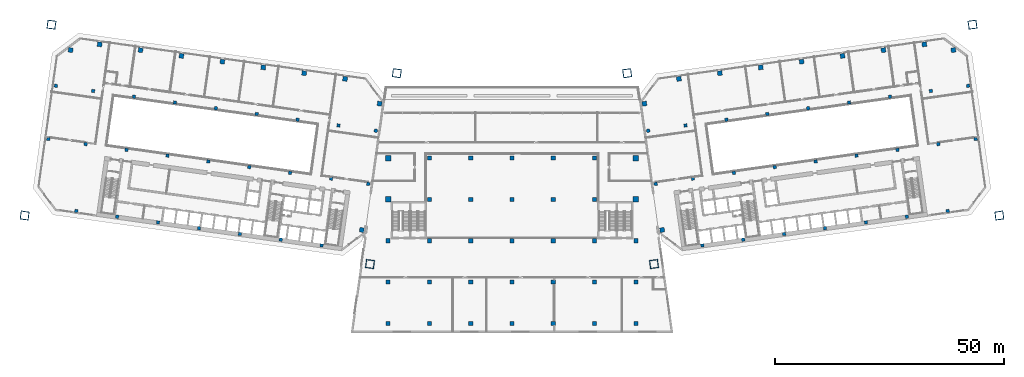
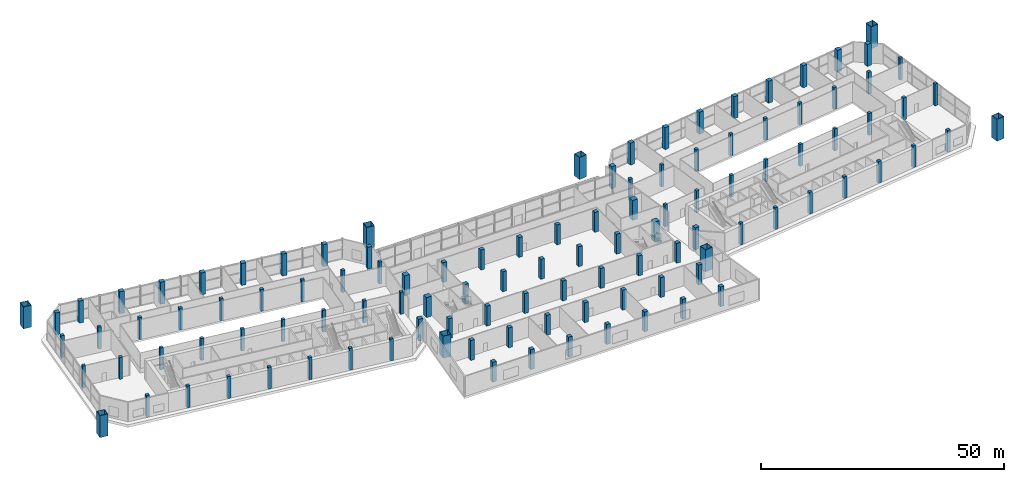
# One storey, part 1 of 23: 113 columns.
"""IFC4 building model written with IfcOpenShell, lengths in metres."""

from ifc_helpers import new_model, si_unit, direction, frame, origin, origin_2d, place, context, subcontext, project, spatial, rectangle, hollow_rectangle, extrude, material, material_profile, profile_set, type_object, element, save


model = new_model("IFC4")

# Units and contexts
model_context = context("Model", 3, precision=1e-05, world=origin(), true_north=direction((0.0, 1.0)))
body_context = subcontext(model_context, "Body", "Model", "MODEL_VIEW")
ifc_project = project(units=[si_unit("LENGTHUNIT", "METRE"), si_unit("AREAUNIT", "SQUARE_METRE"), si_unit("VOLUMEUNIT", "CUBIC_METRE"), si_unit("PLANEANGLEUNIT", "RADIAN"), si_unit("MASSUNIT", "GRAM", prefix="KILO")], contexts=[model_context])

# Site, building, storey
site_placement = place(None, origin())
site = spatial("IfcSite", under=ifc_project, at=site_placement, CompositionType="ELEMENT")
building_placement = place(site_placement, origin())
building = spatial("IfcBuilding", under=site, at=building_placement, Name="Mirante Cascada Hotel Towers", CompositionType="ELEMENT")
storey_placement = place(building_placement, frame((0.0, 0.0, 29.0)))
storey = spatial("IfcBuildingStorey", under=building, at=storey_placement, Name="L04", CompositionType="ELEMENT", Elevation=29.0)

# Columns
ifc_material_1 = material(Name="Steel ASTM A572 Gr 50", Category="steel")
ifc_material_profile_1 = material_profile(ifc_material_1, hollow_rectangle(XDim=1.8, YDim=1.8, WallThickness=0.08, at=origin_2d()), Name="Box column 1800x1800x80 ASTM A572 Gr 50")
ifc_profile_set_1 = profile_set([ifc_material_profile_1], Name="Steel ASTM A572 Gr 50")
column_type_1 = type_object("IfcColumnType", Name="Box column 1800x1800x80 ASTM A572 Gr 50", PredefinedType="COLUMN", material=ifc_profile_set_1)
for number, where, z_axis, x_axis, name in (
    (1, (-25.0968, 18.5173, 0.0), (0.0, 0.0, 1.0), (-0.9902681, 0.1391731, 0.0), "Mega column MC1 T1 L04"),
    (2, (-30.9421, -23.074, 0.0), (0.0, 0.0, 1.0), (-0.9902681, 0.1391731, 0.0), "Mega column MC2 T1 L04"),
    (3, (-100.3572, 29.0944, 0.0), (0.0, 0.0, 1.0), (-0.9902681, 0.1391731, 0.0), "Mega column MC3 T1 L04"),
    (4, (-106.2025, -12.4968, 0.0), (0.0, 0.0, 1.0), (-0.9902681, 0.1391731, 0.0), "Mega column MC4 T1 L04"),
    (5, (25.0968, 18.5173, 0.0), (0.0, 0.0, 1.0), (0.9902681, 0.1391731, 0.0), "Mega column MC1 T2 L04"),
    (6, (30.9421, -23.074, 0.0), (0.0, 0.0, 1.0), (0.9902681, 0.1391731, 0.0), "Mega column MC2 T2 L04"),
    (7, (100.3572, 29.0944, 0.0), (0.0, 0.0, 1.0), (0.9902681, 0.1391731, 0.0), "Mega column MC3 T2 L04"),
    (8, (106.2025, -12.4968, 0.0), (0.0, 0.0, 1.0), (0.9902681, 0.1391731, 0.0), "Mega column MC4 T2 L04"),
):
    element("IfcColumn", number, at=place(storey_placement, frame(where, z_axis=z_axis, x_axis=x_axis)), inside=storey, type_object=column_type_1, Name=name, PredefinedType="COLUMN", context=body_context, shape_type="SweptSolid", body=[
        extrude(hollow_rectangle(XDim=1.8, YDim=1.8, WallThickness=0.08, at=origin_2d()), origin(), (0.0, 0.0, 1.0), 5.5),
    ])
ifc_material_2 = material(Name="Concrete C50/60", Category="concrete")
ifc_material_profile_2 = material_profile(ifc_material_2, rectangle(XDim=1.2, YDim=1.2, at=origin_2d()), Name="RC 1200x1200")
ifc_profile_set_2 = profile_set([ifc_material_profile_2], Name="Concrete C50/60")
column_type_2 = type_object("IfcColumnType", Name="Column RC 1200x1200 C50/60", PredefinedType="COLUMN", material=ifc_profile_set_2)
for number, where, z_axis, x_axis, name in (
    (9, (-27.0, -9.0, 0.0), (0.0, 0.0, 1.0), (1.0, 0.0, 0.0), "col:P:L04:175"),
    (10, (27.0, -9.0, 0.0), (0.0, 0.0, 1.0), (1.0, 0.0, 0.0), "col:P:L04:218"),
    (11, (-27.0, 0.0, 0.0), (0.0, 0.0, 1.0), (1.0, 0.0, 0.0), "col:P:L04:226"),
    (12, (27.0, 0.0, 0.0), (0.0, 0.0, 1.0), (1.0, 0.0, 0.0), "col:P:L04:269"),
):
    element("IfcColumn", number, at=place(storey_placement, frame(where, z_axis=z_axis, x_axis=x_axis)), inside=storey, type_object=column_type_2, Name=name, PredefinedType="COLUMN", context=body_context, shape_type="SweptSolid", body=[
        extrude(rectangle(XDim=1.2, YDim=1.2, at=origin_2d()), origin(), (0.0, 0.0, 1.0), 5.0),
    ])
ifc_material_3 = material(Name="Concrete C50/60", Category="concrete")
ifc_material_profile_3 = material_profile(ifc_material_3, rectangle(XDim=0.9, YDim=0.9, at=origin_2d()), Name="RC 900x900")
ifc_profile_set_3 = profile_set([ifc_material_profile_3], Name="Concrete C50/60")
column_type_3 = type_object("IfcColumnType", Name="Column RC 900x900 C50/60", PredefinedType="COLUMN", material=ifc_profile_set_3)
for number, where, z_axis, x_axis, name in (
    (13, (-27.0, -36.0, 0.0), (0.0, 0.0, 1.0), (1.0, 0.0, 0.0), "col:P:L04:7"),
    (14, (-18.0, -36.0, 0.0), (0.0, 0.0, 1.0), (1.0, 0.0, 0.0), "col:P:L04:15"),
    (15, (-9.0, -36.0, 0.0), (0.0, 0.0, 1.0), (1.0, 0.0, 0.0), "col:P:L04:23"),
    (16, (0.0, -36.0, 0.0), (0.0, 0.0, 1.0), (1.0, 0.0, 0.0), "col:P:L04:31"),
    (17, (9.0, -36.0, 0.0), (0.0, 0.0, 1.0), (1.0, 0.0, 0.0), "col:P:L04:39"),
    (18, (18.0, -36.0, 0.0), (0.0, 0.0, 1.0), (1.0, 0.0, 0.0), "col:P:L04:47"),
    (19, (27.0, -36.0, 0.0), (0.0, 0.0, 1.0), (1.0, 0.0, 0.0), "col:P:L04:55"),
    (20, (-27.0, -27.0, 0.0), (0.0, 0.0, 1.0), (1.0, 0.0, 0.0), "col:P:L04:63"),
    (21, (-18.0, -27.0, 0.0), (0.0, 0.0, 1.0), (1.0, 0.0, 0.0), "col:P:L04:71"),
    (22, (-9.0, -27.0, 0.0), (0.0, 0.0, 1.0), (1.0, 0.0, 0.0), "col:P:L04:79"),
    (23, (0.0, -27.0, 0.0), (0.0, 0.0, 1.0), (1.0, 0.0, 0.0), "col:P:L04:87"),
    (24, (9.0, -27.0, 0.0), (0.0, 0.0, 1.0), (1.0, 0.0, 0.0), "col:P:L04:95"),
    (25, (18.0, -27.0, 0.0), (0.0, 0.0, 1.0), (1.0, 0.0, 0.0), "col:P:L04:103"),
    (26, (27.0, -27.0, 0.0), (0.0, 0.0, 1.0), (1.0, 0.0, 0.0), "col:P:L04:111"),
    (27, (-27.0, -18.0, 0.0), (0.0, 0.0, 1.0), (1.0, 0.0, 0.0), "col:P:L04:119"),
    (28, (-18.0, -18.0, 0.0), (0.0, 0.0, 1.0), (1.0, 0.0, 0.0), "col:P:L04:127"),
    (29, (-9.0, -18.0, 0.0), (0.0, 0.0, 1.0), (1.0, 0.0, 0.0), "col:P:L04:135"),
    (30, (0.0, -18.0, 0.0), (0.0, 0.0, 1.0), (1.0, 0.0, 0.0), "col:P:L04:143"),
    (31, (9.0, -18.0, 0.0), (0.0, 0.0, 1.0), (1.0, 0.0, 0.0), "col:P:L04:151"),
    (32, (18.0, -18.0, 0.0), (0.0, 0.0, 1.0), (1.0, 0.0, 0.0), "col:P:L04:159"),
    (33, (27.0, -18.0, 0.0), (0.0, 0.0, 1.0), (1.0, 0.0, 0.0), "col:P:L04:167"),
    (34, (-18.0, -9.0, 0.0), (0.0, 0.0, 1.0), (1.0, 0.0, 0.0), "col:P:L04:182"),
    (35, (-9.0, -9.0, 0.0), (0.0, 0.0, 1.0), (1.0, 0.0, 0.0), "col:P:L04:189"),
    (36, (0.0, -9.0, 0.0), (0.0, 0.0, 1.0), (1.0, 0.0, 0.0), "col:P:L04:196"),
    (37, (9.0, -9.0, 0.0), (0.0, 0.0, 1.0), (1.0, 0.0, 0.0), "col:P:L04:203"),
    (38, (18.0, -9.0, 0.0), (0.0, 0.0, 1.0), (1.0, 0.0, 0.0), "col:P:L04:210"),
    (39, (-18.0, 0.0, 0.0), (0.0, 0.0, 1.0), (1.0, 0.0, 0.0), "col:P:L04:233"),
    (40, (-9.0, 0.0, 0.0), (0.0, 0.0, 1.0), (1.0, 0.0, 0.0), "col:P:L04:240"),
    (41, (0.0, 0.0, 0.0), (0.0, 0.0, 1.0), (1.0, 0.0, 0.0), "col:P:L04:247"),
    (42, (9.0, 0.0, 0.0), (0.0, 0.0, 1.0), (1.0, 0.0, 0.0), "col:P:L04:254"),
    (43, (18.0, 0.0, 0.0), (0.0, 0.0, 1.0), (1.0, 0.0, 0.0), "col:P:L04:261"),
):
    element("IfcColumn", number, at=place(storey_placement, frame(where, z_axis=z_axis, x_axis=x_axis)), inside=storey, type_object=column_type_3, Name=name, PredefinedType="COLUMN", context=body_context, shape_type="SweptSolid", body=[
        extrude(rectangle(XDim=0.9, YDim=0.9, at=origin_2d()), origin(), (0.0, 0.0, 1.0), 5.0),
    ])
ifc_material_4 = material(Name="Concrete C60/75", Category="concrete")
ifc_material_profile_4 = material_profile(ifc_material_4, rectangle(XDim=1.0, YDim=1.0, at=origin_2d()), Name="RC column 1000x1000 C60/75")
ifc_profile_set_4 = profile_set([ifc_material_profile_4], Name="Concrete C60/75")
column_type_4 = type_object("IfcColumnType", Name="RC column 1000x1000 C60/75", PredefinedType="COLUMN", material=ifc_profile_set_4)
for number, where, z_axis, x_axis, name in (
    (44, (-28.8577, 11.8761, 0.0), (0.0, 0.0, 1.0), (-0.9902681, 0.1391731, 0.0), "Column T1 L04 1"),
    (45, (-32.7267, -15.6534, 0.0), (0.0, 0.0, 1.0), (-0.9902681, 0.1391731, 0.0), "Column T1 L04 4"),
    (46, (-36.3795, 17.2754, 0.0), (0.0, 0.0, 1.0), (-0.9902681, 0.1391731, 0.0), "Column T1 L04 5"),
    (47, (-45.2919, 18.528, 0.0), (0.0, 0.0, 1.0), (-0.9902681, 0.1391731, 0.0), "Column T1 L04 9"),
    (48, (-54.2043, 19.7806, 0.0), (0.0, 0.0, 1.0), (-0.9902681, 0.1391731, 0.0), "Column T1 L04 13"),
    (49, (-63.1167, 21.0331, 0.0), (0.0, 0.0, 1.0), (-0.9902681, 0.1391731, 0.0), "Column T1 L04 17"),
    (50, (-72.0291, 22.2857, 0.0), (0.0, 0.0, 1.0), (-0.9902681, 0.1391731, 0.0), "Column T1 L04 21"),
    (51, (-80.9415, 23.5382, 0.0), (0.0, 0.0, 1.0), (-0.9902681, 0.1391731, 0.0), "Column T1 L04 25"),
    (52, (-89.8539, 24.7908, 0.0), (0.0, 0.0, 1.0), (-0.9902681, 0.1391731, 0.0), "Column T1 L04 29"),
    (53, (-96.1868, 23.5602, 0.0), (0.0, 0.0, 1.0), (-0.9902681, 0.1391731, 0.0), "Column T1 L04 33"),
    (54, (28.8577, 11.8761, 0.0), (0.0, 0.0, 1.0), (0.9902681, 0.1391731, 0.0), "Column T2 L04 1"),
    (55, (32.7267, -15.6534, 0.0), (0.0, 0.0, 1.0), (0.9902681, 0.1391731, 0.0), "Column T2 L04 4"),
    (56, (36.3795, 17.2754, 0.0), (0.0, 0.0, 1.0), (0.9902681, 0.1391731, 0.0), "Column T2 L04 5"),
    (57, (45.2919, 18.528, 0.0), (0.0, 0.0, 1.0), (0.9902681, 0.1391731, 0.0), "Column T2 L04 9"),
    (58, (54.2043, 19.7806, 0.0), (0.0, 0.0, 1.0), (0.9902681, 0.1391731, 0.0), "Column T2 L04 13"),
    (59, (63.1167, 21.0331, 0.0), (0.0, 0.0, 1.0), (0.9902681, 0.1391731, 0.0), "Column T2 L04 17"),
    (60, (72.0291, 22.2857, 0.0), (0.0, 0.0, 1.0), (0.9902681, 0.1391731, 0.0), "Column T2 L04 21"),
    (61, (80.9415, 23.5382, 0.0), (0.0, 0.0, 1.0), (0.9902681, 0.1391731, 0.0), "Column T2 L04 25"),
    (62, (89.8539, 24.7908, 0.0), (0.0, 0.0, 1.0), (0.9902681, 0.1391731, 0.0), "Column T2 L04 29"),
    (63, (96.1868, 23.5602, 0.0), (0.0, 0.0, 1.0), (0.9902681, 0.1391731, 0.0), "Column T2 L04 33"),
):
    element("IfcColumn", number, at=place(storey_placement, frame(where, z_axis=z_axis, x_axis=x_axis)), inside=storey, type_object=column_type_4, Name=name, PredefinedType="COLUMN", context=body_context, shape_type="SweptSolid", body=[
        extrude(rectangle(XDim=1.0, YDim=1.0, at=origin_2d()), origin(), (0.0, 0.0, 1.0), 5.5),
    ])
ifc_material_5 = material(Name="Concrete C60/75", Category="concrete")
ifc_material_profile_5 = material_profile(ifc_material_5, rectangle(XDim=0.7, YDim=0.7, at=origin_2d()), Name="RC column 700x700 C60/75")
ifc_profile_set_5 = profile_set([ifc_material_profile_5], Name="Concrete C60/75")
column_type_5 = type_object("IfcColumnType", Name="RC column 700x700 C60/75", PredefinedType="COLUMN", material=ifc_profile_set_5)
for number, where, z_axis, x_axis, name in (
    (64, (-29.6858, 5.984, 0.0), (0.0, 0.0, 1.0), (-0.9902681, 0.1391731, 0.0), "Column T1 L04 2"),
    (65, (-31.3141, -5.6022, 0.0), (0.0, 0.0, 1.0), (-0.9902681, 0.1391731, 0.0), "Column T1 L04 3"),
    (66, (-37.806, 7.1252, 0.0), (0.0, 0.0, 1.0), (-0.9902681, 0.1391731, 0.0), "Column T1 L04 6"),
    (67, (-39.4343, -4.4609, 0.0), (0.0, 0.0, 1.0), (-0.9902681, 0.1391731, 0.0), "Column T1 L04 7"),
    (68, (-41.4802, -19.0179, 0.0), (0.0, 0.0, 1.0), (-0.9902681, 0.1391731, 0.0), "Column T1 L04 8"),
    (69, (-46.7184, 8.3777, 0.0), (0.0, 0.0, 1.0), (-0.9902681, 0.1391731, 0.0), "Column T1 L04 10"),
    (70, (-48.3467, -3.2084, 0.0), (0.0, 0.0, 1.0), (-0.9902681, 0.1391731, 0.0), "Column T1 L04 11"),
    (71, (-50.3926, -17.7653, 0.0), (0.0, 0.0, 1.0), (-0.9902681, 0.1391731, 0.0), "Column T1 L04 12"),
    (72, (-55.6308, 9.6303, 0.0), (0.0, 0.0, 1.0), (-0.9902681, 0.1391731, 0.0), "Column T1 L04 14"),
    (73, (-57.2591, -1.9558, 0.0), (0.0, 0.0, 1.0), (-0.9902681, 0.1391731, 0.0), "Column T1 L04 15"),
    (74, (-59.305, -16.5128, 0.0), (0.0, 0.0, 1.0), (-0.9902681, 0.1391731, 0.0), "Column T1 L04 16"),
    (75, (-64.5432, 10.8829, 0.0), (0.0, 0.0, 1.0), (-0.9902681, 0.1391731, 0.0), "Column T1 L04 18"),
    (76, (-66.1716, -0.7033, 0.0), (0.0, 0.0, 1.0), (-0.9902681, 0.1391731, 0.0), "Column T1 L04 19"),
    (77, (-68.2174, -15.2602, 0.0), (0.0, 0.0, 1.0), (-0.9902681, 0.1391731, 0.0), "Column T1 L04 20"),
    (78, (-73.4556, 12.1354, 0.0), (0.0, 0.0, 1.0), (-0.9902681, 0.1391731, 0.0), "Column T1 L04 22"),
    (79, (-75.084, 0.5493, 0.0), (0.0, 0.0, 1.0), (-0.9902681, 0.1391731, 0.0), "Column T1 L04 23"),
    (80, (-77.1298, -14.0077, 0.0), (0.0, 0.0, 1.0), (-0.9902681, 0.1391731, 0.0), "Column T1 L04 24"),
    (81, (-82.368, 13.388, 0.0), (0.0, 0.0, 1.0), (-0.9902681, 0.1391731, 0.0), "Column T1 L04 26"),
    (82, (-83.9964, 1.8018, 0.0), (0.0, 0.0, 1.0), (-0.9902681, 0.1391731, 0.0), "Column T1 L04 27"),
    (83, (-86.0422, -12.7551, 0.0), (0.0, 0.0, 1.0), (-0.9902681, 0.1391731, 0.0), "Column T1 L04 28"),
    (84, (-91.2805, 14.6405, 0.0), (0.0, 0.0, 1.0), (-0.9902681, 0.1391731, 0.0), "Column T1 L04 30"),
    (85, (-92.9088, 3.0544, 0.0), (0.0, 0.0, 1.0), (-0.9902681, 0.1391731, 0.0), "Column T1 L04 31"),
    (86, (-94.9546, -11.5025, 0.0), (0.0, 0.0, 1.0), (-0.9902681, 0.1391731, 0.0), "Column T1 L04 32"),
    (87, (-99.4007, 15.7818, 0.0), (0.0, 0.0, 1.0), (-0.9902681, 0.1391731, 0.0), "Column T1 L04 34"),
    (88, (-101.029, 4.1956, 0.0), (0.0, 0.0, 1.0), (-0.9902681, 0.1391731, 0.0), "Column T1 L04 35"),
    (89, (29.6858, 5.984, 0.0), (0.0, 0.0, 1.0), (0.9902681, 0.1391731, 0.0), "Column T2 L04 2"),
    (90, (31.3141, -5.6022, 0.0), (0.0, 0.0, 1.0), (0.9902681, 0.1391731, 0.0), "Column T2 L04 3"),
    (91, (37.806, 7.1252, 0.0), (0.0, 0.0, 1.0), (0.9902681, 0.1391731, 0.0), "Column T2 L04 6"),
    (92, (39.4343, -4.4609, 0.0), (0.0, 0.0, 1.0), (0.9902681, 0.1391731, 0.0), "Column T2 L04 7"),
    (93, (41.4802, -19.0179, 0.0), (0.0, 0.0, 1.0), (0.9902681, 0.1391731, 0.0), "Column T2 L04 8"),
    (94, (46.7184, 8.3777, 0.0), (0.0, 0.0, 1.0), (0.9902681, 0.1391731, 0.0), "Column T2 L04 10"),
    (95, (48.3467, -3.2084, 0.0), (0.0, 0.0, 1.0), (0.9902681, 0.1391731, 0.0), "Column T2 L04 11"),
    (96, (50.3926, -17.7653, 0.0), (0.0, 0.0, 1.0), (0.9902681, 0.1391731, 0.0), "Column T2 L04 12"),
    (97, (55.6308, 9.6303, 0.0), (0.0, 0.0, 1.0), (0.9902681, 0.1391731, 0.0), "Column T2 L04 14"),
    (98, (57.2591, -1.9558, 0.0), (0.0, 0.0, 1.0), (0.9902681, 0.1391731, 0.0), "Column T2 L04 15"),
    (99, (59.305, -16.5128, 0.0), (0.0, 0.0, 1.0), (0.9902681, 0.1391731, 0.0), "Column T2 L04 16"),
    (100, (64.5432, 10.8829, 0.0), (0.0, 0.0, 1.0), (0.9902681, 0.1391731, 0.0), "Column T2 L04 18"),
    (101, (66.1716, -0.7033, 0.0), (0.0, 0.0, 1.0), (0.9902681, 0.1391731, 0.0), "Column T2 L04 19"),
    (102, (68.2174, -15.2602, 0.0), (0.0, 0.0, 1.0), (0.9902681, 0.1391731, 0.0), "Column T2 L04 20"),
    (103, (73.4556, 12.1354, 0.0), (0.0, 0.0, 1.0), (0.9902681, 0.1391731, 0.0), "Column T2 L04 22"),
    (104, (75.084, 0.5493, 0.0), (0.0, 0.0, 1.0), (0.9902681, 0.1391731, 0.0), "Column T2 L04 23"),
    (105, (77.1298, -14.0077, 0.0), (0.0, 0.0, 1.0), (0.9902681, 0.1391731, 0.0), "Column T2 L04 24"),
    (106, (82.368, 13.388, 0.0), (0.0, 0.0, 1.0), (0.9902681, 0.1391731, 0.0), "Column T2 L04 26"),
    (107, (83.9964, 1.8018, 0.0), (0.0, 0.0, 1.0), (0.9902681, 0.1391731, 0.0), "Column T2 L04 27"),
    (108, (86.0422, -12.7551, 0.0), (0.0, 0.0, 1.0), (0.9902681, 0.1391731, 0.0), "Column T2 L04 28"),
    (109, (91.2805, 14.6405, 0.0), (0.0, 0.0, 1.0), (0.9902681, 0.1391731, 0.0), "Column T2 L04 30"),
    (110, (92.9088, 3.0544, 0.0), (0.0, 0.0, 1.0), (0.9902681, 0.1391731, 0.0), "Column T2 L04 31"),
    (111, (94.9546, -11.5025, 0.0), (0.0, 0.0, 1.0), (0.9902681, 0.1391731, 0.0), "Column T2 L04 32"),
    (112, (99.4007, 15.7818, 0.0), (0.0, 0.0, 1.0), (0.9902681, 0.1391731, 0.0), "Column T2 L04 34"),
    (113, (101.029, 4.1956, 0.0), (0.0, 0.0, 1.0), (0.9902681, 0.1391731, 0.0), "Column T2 L04 35"),
):
    element("IfcColumn", number, at=place(storey_placement, frame(where, z_axis=z_axis, x_axis=x_axis)), inside=storey, type_object=column_type_5, Name=name, PredefinedType="COLUMN", context=body_context, shape_type="SweptSolid", body=[
        extrude(rectangle(XDim=0.7, YDim=0.7, at=origin_2d()), origin(), (0.0, 0.0, 1.0), 5.5),
    ])

save(model, "model.ifc")
